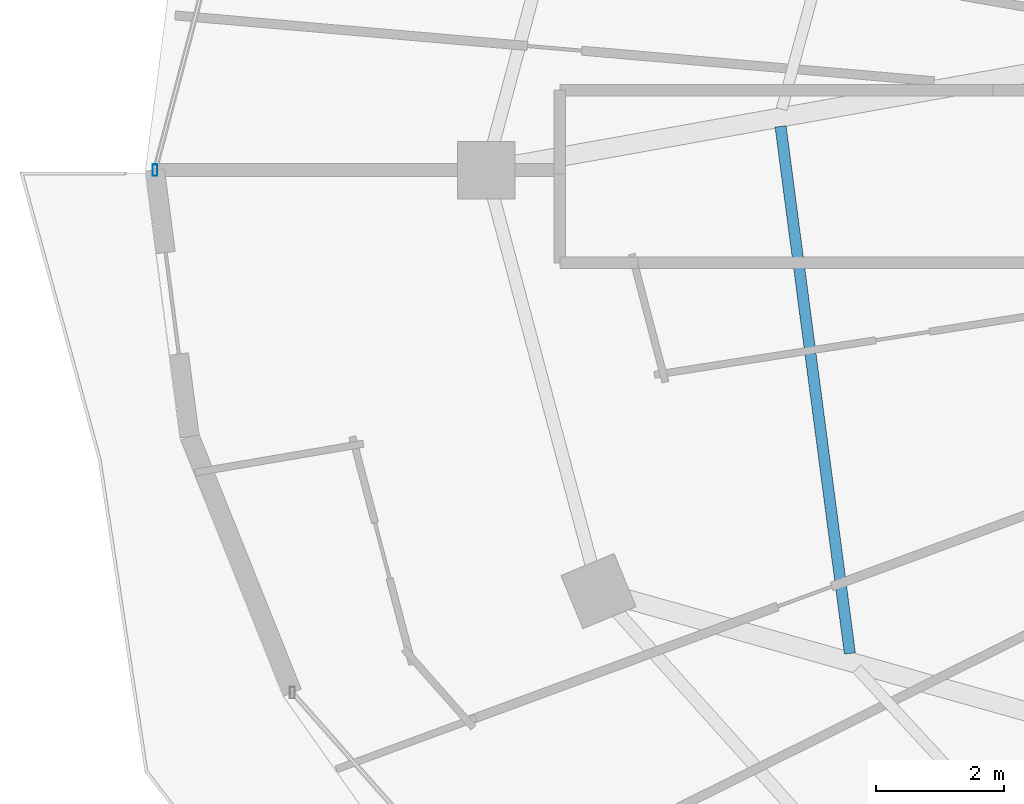
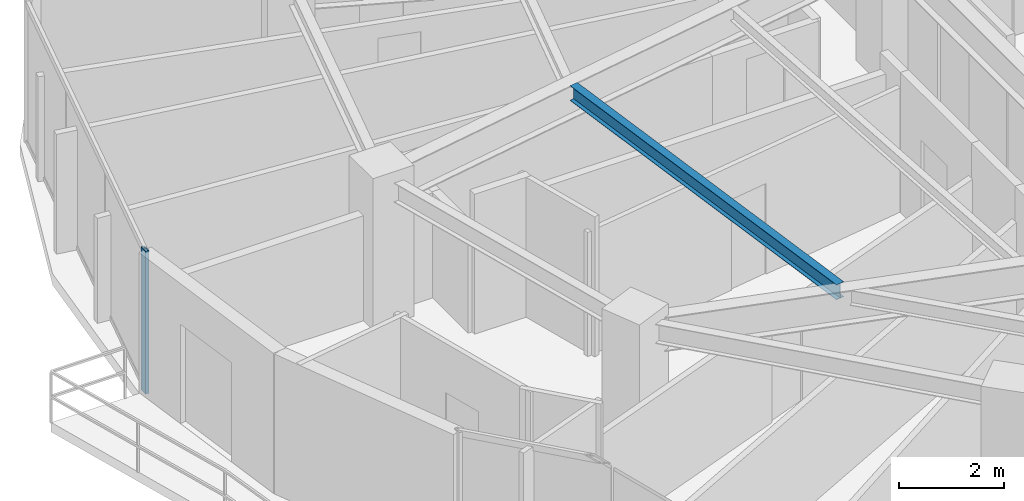
# One storey, part 7 of 34: 1 beam, 1 member, 1 element without a shape of its own.
"""IFC4 building model written with IfcOpenShell, lengths in metres."""

from ifc_helpers import new_model, si_unit, direction, frame, origin, origin_2d, place, context, subcontext, project, spatial, hollow_rectangle, i_section, extrude, material, material_profile, profile_set, type_object, element, aggregate, save


model = new_model("IFC4")

# Units and contexts
model_context = context("Model", 3, precision=1e-05, world=origin(), true_north=direction((0.0, 1.0)))
body_context = subcontext(model_context, "Body", "Model", "MODEL_VIEW")
ifc_project = project(units=[si_unit("LENGTHUNIT", "METRE"), si_unit("AREAUNIT", "SQUARE_METRE"), si_unit("VOLUMEUNIT", "CUBIC_METRE"), si_unit("PLANEANGLEUNIT", "RADIAN"), si_unit("MASSUNIT", "GRAM", prefix="KILO")], contexts=[model_context])

# Site, building, storey
site_placement = place(None, origin())
site = spatial("IfcSite", under=ifc_project, at=site_placement, CompositionType="ELEMENT")
building_placement = place(site_placement, origin())
building = spatial("IfcBuilding", under=site, at=building_placement, Name="Vorneva Point Tower", CompositionType="ELEMENT")
storey_placement = place(building_placement, frame((0.0, 0.0, 186.10009765625)))
storey = spatial("IfcBuildingStorey", under=building, at=storey_placement, Name="L50", CompositionType="ELEMENT", Elevation=186.10009765625)

# Beam
ifc_material_1 = material(Name="Steel S355", Category="steel")
ifc_material_profile_1 = material_profile(ifc_material_1, i_section(OverallWidth=0.174072265625, OverallDepth=0.345947265625, WebThickness=0.006103515625, FlangeThickness=0.009033203125, at=origin_2d()), Name="35B1")
ifc_profile_set_1 = profile_set([ifc_material_profile_1], Name="Steel S355")
beam_type = type_object("IfcBeamType", Name="BM-SEC-35B1", PredefinedType="BEAM", material=ifc_profile_set_1)
beam_placement = place(storey_placement, frame((19.551513671875, 26.68310546875, 3.06689453125), z_axis=(0.130373961087, -0.991464891093, 0.0), x_axis=(0.991464891093, 0.130373961087, 0.0)))
element("IfcBeam", 1, at=beam_placement, inside=storey, type_object=beam_type, Name="L50 Secondary Floor Beam 1.09", PredefinedType="BEAM", context=body_context, shape_type="SweptSolid", body=[
    extrude(i_section(OverallWidth=0.174072265625, OverallDepth=0.345947265625, WebThickness=0.006103515625, FlangeThickness=0.009033203125, at=origin_2d()), origin(), (0.0, 0.0, 1.0), 8.310791015625),
])

# Curtain wall, member
ifc_material_2 = material(Name="Pale anodised aluminium", Category="aluminium")
curtain_wall_type = type_object("IfcCurtainWallType", Name="CW-RES-SYS", PredefinedType="NOTDEFINED", material=ifc_material_2)
curtain_wall_placement = place(storey_placement, origin())
curtain_wall = element("IfcCurtainWall", 2, at=curtain_wall_placement, inside=storey, type_object=curtain_wall_type, Name="L50 Unitised Curtain Wall CW-L50-R02", PredefinedType="NOTDEFINED")
ifc_material_profile_2 = material_profile(ifc_material_2, hollow_rectangle(XDim=0.074951171875, YDim=0.179931640625, WallThickness=0.00390625, at=origin_2d()), Name="AL-MUL 180x75x4")
ifc_profile_set_2 = profile_set([ifc_material_profile_2], Name="Pale anodised aluminium")
member_type = type_object("IfcMemberType", Name="CW-MUL-180", PredefinedType="MULLION", material=ifc_profile_set_2)
member_placement = place(storey_placement, frame((9.77001953125, 26.0, -0.0400390625), z_axis=(0.0, 0.0, 1.0), x_axis=(1.0, 0.0, 0.0)))
member = element("IfcMember", 3, at=member_placement, type_object=member_type, Name="CW-L50-R02 Mullion 03", PredefinedType="MULLION", context=body_context, shape_type="SweptSolid", body=[
    extrude(hollow_rectangle(XDim=0.074951171875, YDim=0.179931640625, WallThickness=0.00390625, at=origin_2d()), origin(), (0.0, 0.0, 1.0), 3.31005859375),
])
aggregate(curtain_wall, [member])

save(model, "model.ifc")
